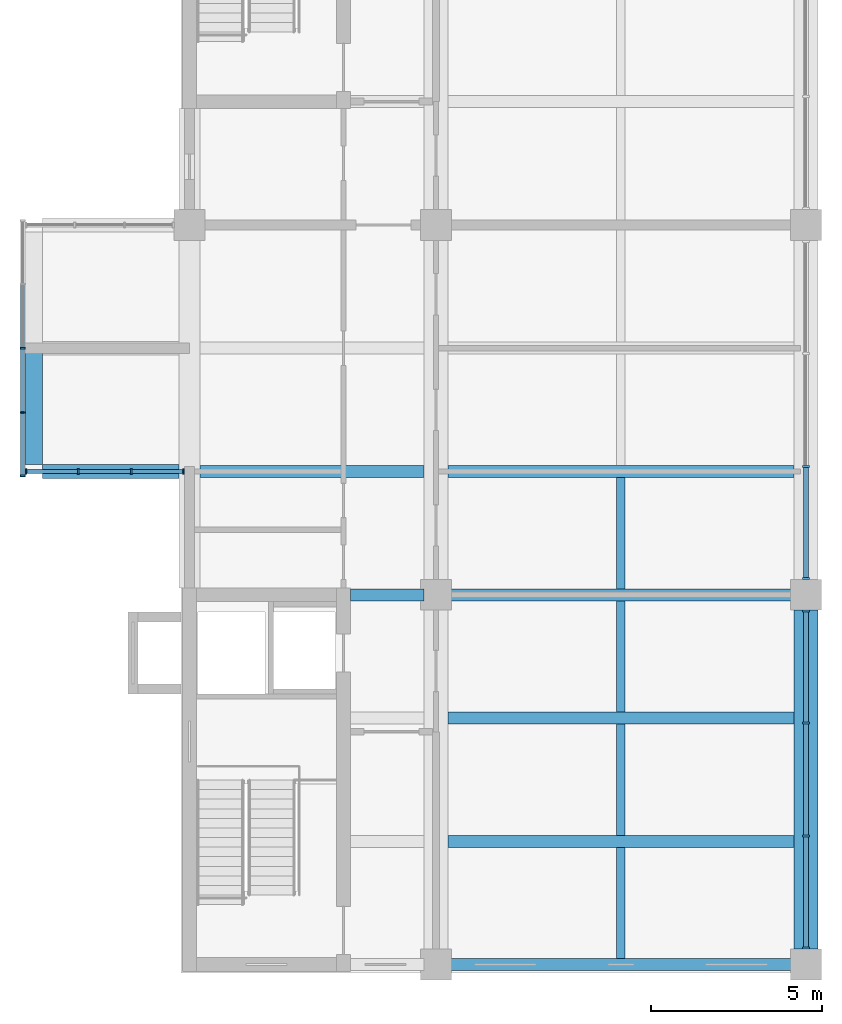
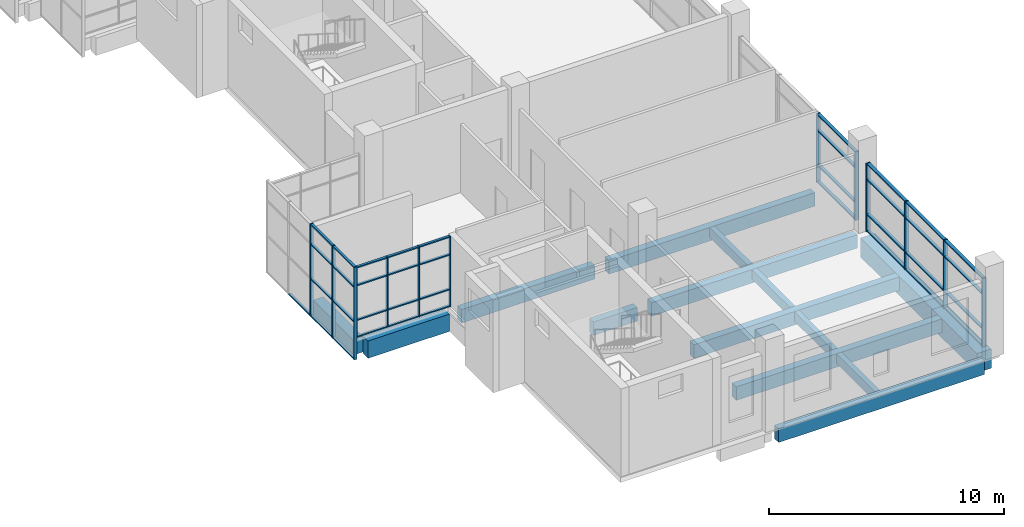
# One storey, part 2 of 15: 50 members, 14 beams, 4 elements without a shape of their own.
"""IFC4 building model written with IfcOpenShell, lengths in metres."""

from ifc_helpers import new_model, si_unit, direction, frame, origin, origin_2d, place, context, subcontext, project, spatial, rectangle, extrude, material, layer, layer_set, material_profile, profile_set, type_object, element, aggregate, save


model = new_model("IFC4")

# Units and contexts
model_context = context("Model", 3, precision=1e-05, world=origin(), true_north=direction((0.0, 1.0)))
body_context = subcontext(model_context, "Body", "Model", "MODEL_VIEW")
ifc_project = project(units=[si_unit("LENGTHUNIT", "METRE"), si_unit("AREAUNIT", "SQUARE_METRE"), si_unit("VOLUMEUNIT", "CUBIC_METRE"), si_unit("PLANEANGLEUNIT", "RADIAN"), si_unit("MASSUNIT", "GRAM", prefix="KILO")], contexts=[model_context])

# Site, building, storey
site_placement = place(None, origin())
site = spatial("IfcSite", under=ifc_project, at=site_placement, CompositionType="ELEMENT")
building_placement = place(site_placement, origin())
building = spatial("IfcBuilding", under=site, at=building_placement, Name="Basin Gate Institute", CompositionType="ELEMENT")
storey_placement = place(building_placement, frame((0.0, 0.0, 55.800048828125)))
storey = spatial("IfcBuildingStorey", under=building, at=storey_placement, Name="L11", CompositionType="ELEMENT", Elevation=55.800048828125)

# Beams
ifc_material_1 = material(Name="Concrete 40 MPa", Category="concrete")
ifc_material_profile_1 = material_profile(ifc_material_1, rectangle(XDim=0.35009765625, YDim=0.699951171875, at=origin_2d()), Name="Beam B1 350 x 700")
ifc_profile_set_1 = profile_set([ifc_material_profile_1], Name="Concrete 40 MPa")
beam_type_1 = type_object("IfcBeamType", Name="Beam B1 R120", PredefinedType="BEAM", material=ifc_profile_set_1)
for number, where, z_axis, x_axis, name in (
    (1, (68.75, 35.10009765625, -0.60009765625), (1.0, 0.0, 0.0), (0.0, 1.0, 0.0), "BEAM/L11/W/EW/01"),
    (2, (68.75, 38.699951171875, -0.60009765625), (1.0, 0.0, 0.0), (0.0, 1.0, 0.0), "BEAM/L11/W/EW/02"),
    (3, (68.75, 42.300048828125, -0.60009765625), (1.0, 0.0, 0.0), (0.0, 1.0, 0.0), "BEAM/L11/W/EW/03"),
    (4, (68.75, 45.89990234375, -0.60009765625), (1.0, 0.0, 0.0), (0.0, 1.0, 0.0), "BEAM/L11/W/EW/04"),
):
    element("IfcBeam", number, at=place(storey_placement, frame(where, z_axis=z_axis, x_axis=x_axis)), inside=storey, type_object=beam_type_1, material=ifc_profile_set_1, Name=name, PredefinedType="BEAM", context=body_context, shape_type="SweptSolid", body=[
        extrude(rectangle(XDim=0.35009765625, YDim=0.699951171875, at=origin_2d()), origin(), (0.0, 0.0, 1.0), 10.10009765625),
    ])
beam_1_placement = place(storey_placement, frame((65.89990234375, 45.89990234375, -0.60009765625), z_axis=(1.0, 0.0, 0.0), x_axis=(0.0, 1.0, 0.0)))
element("IfcBeam", 5, at=beam_1_placement, inside=storey, type_object=beam_type_1, material=ifc_profile_set_1, Name="BEAM/L11/W/CORR/04", PredefinedType="BEAM", context=body_context, shape_type="SweptSolid", body=[
    extrude(rectangle(XDim=0.35009765625, YDim=0.699951171875, at=origin_2d()), origin(), (0.0, 0.0, 1.0), 2.150146484375),
])
beam_2_placement = place(storey_placement, frame((68.75, 49.5, -0.60009765625), z_axis=(1.0, 0.0, 0.0), x_axis=(0.0, 1.0, 0.0)))
element("IfcBeam", 6, at=beam_2_placement, inside=storey, type_object=beam_type_1, material=ifc_profile_set_1, Name="BEAM/L11/W/EW/05", PredefinedType="BEAM", context=body_context, shape_type="SweptSolid", body=[
    extrude(rectangle(XDim=0.35009765625, YDim=0.699951171875, at=origin_2d()), origin(), (0.0, 0.0, 1.0), 10.10009765625),
])
beam_3_placement = place(storey_placement, frame((61.5, 49.5, -0.60009765625), z_axis=(1.0, 0.0, 0.0), x_axis=(0.0, 1.0, 0.0)))
element("IfcBeam", 7, at=beam_3_placement, inside=storey, type_object=beam_type_1, material=ifc_profile_set_1, Name="BEAM/L11/W/OUT/05", PredefinedType="BEAM", context=body_context, shape_type="SweptSolid", body=[
    extrude(rectangle(XDim=0.35009765625, YDim=0.699951171875, at=origin_2d()), origin(), (0.0, 0.0, 1.0), 6.550048828125),
])
ifc_material_2 = material(Name="Concrete 50 MPa", Category="concrete")
ifc_material_profile_2 = material_profile(ifc_material_2, rectangle(XDim=0.39990234375, YDim=0.89990234375, at=origin_2d()), Name="Cantilever beam B3 400 x 900")
ifc_profile_set_2 = profile_set([ifc_material_profile_2], Name="Concrete 50 MPa")
beam_type_2 = type_object("IfcBeamType", Name="Cantilever beam B3 R120", PredefinedType="BEAM", material=ifc_profile_set_2)
beam_4_placement = place(storey_placement, frame((56.89990234375, 49.5, -0.699951171875), z_axis=(1.0, 0.0, 0.0), x_axis=(0.0, 1.0, 0.0)))
element("IfcBeam", 8, at=beam_4_placement, inside=storey, type_object=beam_type_2, material=ifc_profile_set_2, Name="BEAM/L11/W/CANT/05", PredefinedType="BEAM", context=body_context, shape_type="SweptSolid", body=[
    extrude(rectangle(XDim=0.39990234375, YDim=0.89990234375, at=origin_2d()), origin(), (0.0, 0.0, 1.0), 4.0),
])
ifc_material_3 = material(Name="Concrete 50 MPa", Category="concrete")
ifc_material_profile_3 = material_profile(ifc_material_3, rectangle(XDim=0.699951171875, YDim=1.0, at=origin_2d()), Name="Girder G1 700 x 1000")
ifc_profile_set_3 = profile_set([ifc_material_profile_3], Name="Concrete 50 MPa")
beam_type_3 = type_object("IfcBeamType", Name="Girder G1 R120", PredefinedType="BEAM", material=ifc_profile_set_3)
beam_5_placement = place(storey_placement, frame((79.199951171875, 35.550048828125, -0.75), z_axis=(0.0, 1.0, 0.0), x_axis=(-1.0, 0.0, 0.0)))
element("IfcBeam", 9, at=beam_5_placement, inside=storey, type_object=beam_type_3, material=ifc_profile_set_3, Name="GIR/L11/W6/1", PredefinedType="BEAM", context=body_context, shape_type="SweptSolid", body=[
    extrude(rectangle(XDim=0.699951171875, YDim=1.0, at=origin_2d()), origin(), (0.0, 0.0, 1.0), 9.89990234375),
])

# Curtain wall, members
ifc_material_4 = material(Name="Aluminium-framed glazing", Category="aluminium")
ifc_layer_1 = layer(ifc_material_4, 0.14990234375)
ifc_layer_set_1 = layer_set([ifc_layer_1], Name="Capsule front curtain wall CW1")
curtain_wall_type_1 = type_object("IfcCurtainWallType", Name="Capsule front curtain wall CW1", PredefinedType="NOTDEFINED", material=ifc_layer_set_1)
curtain_wall_1_placement = place(storey_placement, origin())
curtain_wall_1 = element("IfcCurtainWall", 10, at=curtain_wall_1_placement, inside=storey, type_object=curtain_wall_type_1, material=ifc_layer_set_1, Name="Capsule front curtain wall W wing capsule end L11 line 5", PredefinedType="NOTDEFINED")
ifc_material_5 = material(Name="Aluminium", Category="aluminium")
ifc_material_profile_4 = material_profile(ifc_material_5, rectangle(XDim=0.14990234375, YDim=0.050048828125, at=origin_2d()), Name="Mullion MU1 150 x 50")
ifc_profile_set_4 = profile_set([ifc_material_profile_4], Name="Aluminium")
member_type_1 = type_object("IfcMemberType", Name="Mullion MU1", PredefinedType="MULLION", material=ifc_profile_set_4)
member_1_placement = place(storey_placement, frame((56.425048828125, 49.5, 0.0), z_axis=(0.0, 0.0, 1.0), x_axis=(0.0, 1.0, 0.0)))
member_1 = element("IfcMember", 11, at=member_1_placement, type_object=member_type_1, material=ifc_profile_set_4, Name="CW1 mullion 1", PredefinedType="MULLION", context=body_context, shape_type="SweptSolid", body=[
    extrude(rectangle(XDim=0.14990234375, YDim=0.050048828125, at=origin_2d()), origin(), (0.0, 0.0, 1.0), 3.64990234375),
])
member_2_placement = place(storey_placement, frame((57.949951171875, 49.5, 0.0), z_axis=(0.0, 0.0, 1.0), x_axis=(0.0, 1.0, 0.0)))
member_2 = element("IfcMember", 12, at=member_2_placement, type_object=member_type_1, material=ifc_profile_set_4, Name="CW1 mullion 2", PredefinedType="MULLION", context=body_context, shape_type="SweptSolid", body=[
    extrude(rectangle(XDim=0.14990234375, YDim=0.050048828125, at=origin_2d()), origin(), (0.0, 0.0, 1.0), 3.64990234375),
])
member_3_placement = place(storey_placement, frame((59.5, 49.5, 0.0), z_axis=(0.0, 0.0, 1.0), x_axis=(0.0, 1.0, 0.0)))
member_3 = element("IfcMember", 13, at=member_3_placement, type_object=member_type_1, material=ifc_profile_set_4, Name="CW1 mullion 3", PredefinedType="MULLION", context=body_context, shape_type="SweptSolid", body=[
    extrude(rectangle(XDim=0.14990234375, YDim=0.050048828125, at=origin_2d()), origin(), (0.0, 0.0, 1.0), 3.64990234375),
])
member_4_placement = place(storey_placement, frame((61.02490234375, 49.5, 0.0), z_axis=(0.0, 0.0, 1.0), x_axis=(0.0, 1.0, 0.0)))
member_4 = element("IfcMember", 14, at=member_4_placement, type_object=member_type_1, material=ifc_profile_set_4, Name="CW1 mullion 4", PredefinedType="MULLION", context=body_context, shape_type="SweptSolid", body=[
    extrude(rectangle(XDim=0.14990234375, YDim=0.050048828125, at=origin_2d()), origin(), (0.0, 0.0, 1.0), 3.64990234375),
])

curtain_wall_2_placement = place(storey_placement, origin())
curtain_wall_2 = element("IfcCurtainWall", 15, at=curtain_wall_2_placement, inside=storey, type_object=curtain_wall_type_1, material=ifc_layer_set_1, Name="Capsule front curtain wall W wing capsule 1 L11 front 2", PredefinedType="NOTDEFINED")
member_5_placement = place(storey_placement, frame((56.324951171875, 49.375, -1.050048828125), z_axis=(0.0, 0.0, 1.0), x_axis=(-1.0, 0.0, 0.0)))
member_5 = element("IfcMember", 16, at=member_5_placement, type_object=member_type_1, material=ifc_profile_set_4, Name="CW1 mullion 1", PredefinedType="MULLION", context=body_context, shape_type="SweptSolid", body=[
    extrude(rectangle(XDim=0.14990234375, YDim=0.050048828125, at=origin_2d()), origin(), (0.0, 0.0, 1.0), 4.800048828125),
])
member_6_placement = place(storey_placement, frame((56.324951171875, 51.22509765625, -1.050048828125), z_axis=(0.0, 0.0, 1.0), x_axis=(-1.0, 0.0, 0.0)))
member_6 = element("IfcMember", 17, at=member_6_placement, type_object=member_type_1, material=ifc_profile_set_4, Name="CW1 mullion 2", PredefinedType="MULLION", context=body_context, shape_type="SweptSolid", body=[
    extrude(rectangle(XDim=0.14990234375, YDim=0.050048828125, at=origin_2d()), origin(), (0.0, 0.0, 1.0), 4.800048828125),
])
member_7_placement = place(storey_placement, frame((56.324951171875, 53.10009765625, -1.050048828125), z_axis=(0.0, 0.0, 1.0), x_axis=(-1.0, 0.0, 0.0)))
member_7 = element("IfcMember", 18, at=member_7_placement, type_object=member_type_1, material=ifc_profile_set_4, Name="CW1 mullion 3", PredefinedType="MULLION", context=body_context, shape_type="SweptSolid", body=[
    extrude(rectangle(XDim=0.14990234375, YDim=0.050048828125, at=origin_2d()), origin(), (0.0, 0.0, 1.0), 4.800048828125),
])

ifc_material_6 = material(Name="Aluminium-framed glazing", Category="aluminium")
ifc_layer_2 = layer(ifc_material_6, 0.199951171875)
ifc_layer_set_2 = layer_set([ifc_layer_2], Name="Atrium curtain wall CW2")
curtain_wall_type_2 = type_object("IfcCurtainWallType", Name="Atrium curtain wall CW2", PredefinedType="NOTDEFINED", material=ifc_layer_set_2)
curtain_wall_3_placement = place(storey_placement, origin())
curtain_wall_3 = element("IfcCurtainWall", 19, at=curtain_wall_3_placement, inside=storey, type_object=curtain_wall_type_2, material=ifc_layer_set_2, Name="Atrium curtain wall W wing atrium bay 1 L11", PredefinedType="NOTDEFINED")
ifc_material_7 = material(Name="Aluminium", Category="aluminium")
ifc_material_profile_5 = material_profile(ifc_material_7, rectangle(XDim=0.199951171875, YDim=0.06005859375, at=origin_2d()), Name="Mullion MU2 200 x 60")
ifc_profile_set_5 = profile_set([ifc_material_profile_5], Name="Aluminium")
member_type_2 = type_object("IfcMemberType", Name="Mullion MU2", PredefinedType="MULLION", material=ifc_profile_set_5)
member_8_placement = place(storey_placement, frame((79.199951171875, 35.580078125, 0.0), z_axis=(0.0, 0.0, 1.0), x_axis=(-1.0, 0.0, 0.0)))
member_8 = element("IfcMember", 20, at=member_8_placement, type_object=member_type_2, material=ifc_profile_set_5, Name="CW2 mullion 1", PredefinedType="MULLION", context=body_context, shape_type="SweptSolid", body=[
    extrude(rectangle(XDim=0.199951171875, YDim=0.06005859375, at=origin_2d()), origin(), (0.0, 0.0, 1.0), 3.550048828125),
])
member_9_placement = place(storey_placement, frame((79.199951171875, 38.85009765625, 0.0), z_axis=(0.0, 0.0, 1.0), x_axis=(-1.0, 0.0, 0.0)))
member_9 = element("IfcMember", 21, at=member_9_placement, type_object=member_type_2, material=ifc_profile_set_5, Name="CW2 mullion 2", PredefinedType="MULLION", context=body_context, shape_type="SweptSolid", body=[
    extrude(rectangle(XDim=0.199951171875, YDim=0.06005859375, at=origin_2d()), origin(), (0.0, 0.0, 1.0), 3.550048828125),
])
member_10_placement = place(storey_placement, frame((79.199951171875, 42.14990234375, 0.0), z_axis=(0.0, 0.0, 1.0), x_axis=(-1.0, 0.0, 0.0)))
member_10 = element("IfcMember", 22, at=member_10_placement, type_object=member_type_2, material=ifc_profile_set_5, Name="CW2 mullion 3", PredefinedType="MULLION", context=body_context, shape_type="SweptSolid", body=[
    extrude(rectangle(XDim=0.199951171875, YDim=0.06005859375, at=origin_2d()), origin(), (0.0, 0.0, 1.0), 3.550048828125),
])
member_11_placement = place(storey_placement, frame((79.199951171875, 45.419921875, 0.0), z_axis=(0.0, 0.0, 1.0), x_axis=(-1.0, 0.0, 0.0)))
member_11 = element("IfcMember", 23, at=member_11_placement, type_object=member_type_2, material=ifc_profile_set_5, Name="CW2 mullion 4", PredefinedType="MULLION", context=body_context, shape_type="SweptSolid", body=[
    extrude(rectangle(XDim=0.199951171875, YDim=0.06005859375, at=origin_2d()), origin(), (0.0, 0.0, 1.0), 3.550048828125),
])

curtain_wall_4_placement = place(storey_placement, origin())
curtain_wall_4 = element("IfcCurtainWall", 24, at=curtain_wall_4_placement, inside=storey, type_object=curtain_wall_type_2, material=ifc_layer_set_2, Name="Atrium curtain wall W wing atrium bay 2 L11", PredefinedType="NOTDEFINED")
member_12_placement = place(storey_placement, frame((79.199951171875, 46.3798828125, 0.0), z_axis=(0.0, 0.0, 1.0), x_axis=(-1.0, 0.0, 0.0)))
member_12 = element("IfcMember", 25, at=member_12_placement, type_object=member_type_2, material=ifc_profile_set_5, Name="CW2 mullion 1", PredefinedType="MULLION", context=body_context, shape_type="SweptSolid", body=[
    extrude(rectangle(XDim=0.199951171875, YDim=0.06005859375, at=origin_2d()), origin(), (0.0, 0.0, 1.0), 3.550048828125),
])
member_13_placement = place(storey_placement, frame((79.199951171875, 49.64990234375, 0.0), z_axis=(0.0, 0.0, 1.0), x_axis=(-1.0, 0.0, 0.0)))
member_13 = element("IfcMember", 26, at=member_13_placement, type_object=member_type_2, material=ifc_profile_set_5, Name="CW2 mullion 2", PredefinedType="MULLION", context=body_context, shape_type="SweptSolid", body=[
    extrude(rectangle(XDim=0.199951171875, YDim=0.06005859375, at=origin_2d()), origin(), (0.0, 0.0, 1.0), 3.550048828125),
])

# Beams
ifc_material_8 = material(Name="Concrete 40 MPa", Category="concrete")
ifc_material_profile_6 = material_profile(ifc_material_8, rectangle(XDim=0.25, YDim=0.5, at=origin_2d()), Name="Rib R1 250 x 500")
ifc_profile_set_6 = profile_set([ifc_material_profile_6], Name="Concrete 40 MPa")
beam_type_4 = type_object("IfcBeamType", Name="Rib R1 R120", PredefinedType="JOIST", material=ifc_profile_set_6)
for number, where, z_axis, x_axis, name in (
    (27, (73.800048828125, 35.27490234375, -0.5), (0.0, 1.0, 0.0), (-1.0, 0.0, 0.0), "BEAM/L11/W/RIB/01"),
    (28, (73.800048828125, 38.875, -0.5), (0.0, 1.0, 0.0), (-1.0, 0.0, 0.0), "BEAM/L11/W/RIB/02"),
    (29, (73.800048828125, 42.47509765625, -0.5), (0.0, 1.0, 0.0), (-1.0, 0.0, 0.0), "BEAM/L11/W/RIB/03"),
    (30, (73.800048828125, 46.074951171875, -0.5), (0.0, 1.0, 0.0), (-1.0, 0.0, 0.0), "BEAM/L11/W/RIB/04"),
):
    element("IfcBeam", number, at=place(storey_placement, frame(where, z_axis=z_axis, x_axis=x_axis)), inside=storey, type_object=beam_type_4, material=ifc_profile_set_6, Name=name, PredefinedType="JOIST", context=body_context, shape_type="SweptSolid", body=[
        extrude(rectangle(XDim=0.25, YDim=0.5, at=origin_2d()), origin(), (0.0, 0.0, 1.0), 3.25),
    ])
ifc_material_9 = material(Name="Concrete 50 MPa", Category="concrete")
ifc_material_profile_7 = material_profile(ifc_material_9, rectangle(XDim=0.5, YDim=0.800048828125, at=origin_2d()), Name="Tip beam TB1 500 x 800")
ifc_profile_set_7 = profile_set([ifc_material_profile_7], Name="Concrete 50 MPa")
beam_type_5 = type_object("IfcBeamType", Name="Tip beam TB1 R120", PredefinedType="SPANDREL", material=ifc_profile_set_7)
beam_6_placement = place(storey_placement, frame((56.64990234375, 49.699951171875, -0.650146484375), z_axis=(0.0, 1.0, 0.0), x_axis=(-1.0, 0.0, 0.0)))
element("IfcBeam", 31, at=beam_6_placement, inside=storey, type_object=beam_type_5, material=ifc_profile_set_7, Name="BEAM/L11/W/TIP/2", PredefinedType="SPANDREL", context=body_context, shape_type="SweptSolid", body=[
    extrude(rectangle(XDim=0.5, YDim=0.800048828125, at=origin_2d()), origin(), (0.0, 0.0, 1.0), 3.400146484375),
])

# Member
ifc_material_10 = material(Name="Aluminium", Category="aluminium")
ifc_material_profile_8 = material_profile(ifc_material_10, rectangle(XDim=0.1201171875, YDim=0.06005859375, at=origin_2d()), Name="Transom TR1 120 x 60")
ifc_profile_set_8 = profile_set([ifc_material_profile_8], Name="Aluminium")
member_type_3 = type_object("IfcMemberType", Name="Transom TR1", PredefinedType="USERDEFINED", material=ifc_profile_set_8)
member_14_placement = place(storey_placement, frame((56.449951171875, 49.5, 0.030029296875), z_axis=(1.0, 0.0, 0.0), x_axis=(0.0, 1.0, 0.0)))
member_14 = element("IfcMember", 32, at=member_14_placement, type_object=member_type_3, material=ifc_profile_set_8, Name="CW1 transom 1.1", ObjectType="TRANSOM", PredefinedType="USERDEFINED", context=body_context, shape_type="SweptSolid", body=[
    extrude(rectangle(XDim=0.1201171875, YDim=0.06005859375, at=origin_2d()), origin(), (0.0, 0.0, 1.0), 1.47509765625),
])

member_15_placement = place(storey_placement, frame((56.449951171875, 49.5, 0.89990234375), z_axis=(1.0, 0.0, 0.0), x_axis=(0.0, 1.0, 0.0)))
member_15 = element("IfcMember", 33, at=member_15_placement, type_object=member_type_3, material=ifc_profile_set_8, Name="CW1 transom 1.2", ObjectType="TRANSOM", PredefinedType="USERDEFINED", context=body_context, shape_type="SweptSolid", body=[
    extrude(rectangle(XDim=0.1201171875, YDim=0.06005859375, at=origin_2d()), origin(), (0.0, 0.0, 1.0), 1.47509765625),
])

member_16_placement = place(storey_placement, frame((56.449951171875, 49.5, 2.699951171875), z_axis=(1.0, 0.0, 0.0), x_axis=(0.0, 1.0, 0.0)))
member_16 = element("IfcMember", 34, at=member_16_placement, type_object=member_type_3, material=ifc_profile_set_8, Name="CW1 transom 1.3", ObjectType="TRANSOM", PredefinedType="USERDEFINED", context=body_context, shape_type="SweptSolid", body=[
    extrude(rectangle(XDim=0.1201171875, YDim=0.06005859375, at=origin_2d()), origin(), (0.0, 0.0, 1.0), 1.47509765625),
])

member_17_placement = place(storey_placement, frame((56.449951171875, 49.5, 3.619873046875), z_axis=(1.0, 0.0, 0.0), x_axis=(0.0, 1.0, 0.0)))
member_17 = element("IfcMember", 35, at=member_17_placement, type_object=member_type_3, material=ifc_profile_set_8, Name="CW1 transom 1.4", ObjectType="TRANSOM", PredefinedType="USERDEFINED", context=body_context, shape_type="SweptSolid", body=[
    extrude(rectangle(XDim=0.1201171875, YDim=0.06005859375, at=origin_2d()), origin(), (0.0, 0.0, 1.0), 1.47509765625),
])

member_18_placement = place(storey_placement, frame((57.97509765625, 49.5, 0.030029296875), z_axis=(1.0, 0.0, 0.0), x_axis=(0.0, 1.0, 0.0)))
member_18 = element("IfcMember", 36, at=member_18_placement, type_object=member_type_3, material=ifc_profile_set_8, Name="CW1 transom 2.1", ObjectType="TRANSOM", PredefinedType="USERDEFINED", context=body_context, shape_type="SweptSolid", body=[
    extrude(rectangle(XDim=0.1201171875, YDim=0.06005859375, at=origin_2d()), origin(), (0.0, 0.0, 1.0), 1.5),
])

member_19_placement = place(storey_placement, frame((57.97509765625, 49.5, 0.89990234375), z_axis=(1.0, 0.0, 0.0), x_axis=(0.0, 1.0, 0.0)))
member_19 = element("IfcMember", 37, at=member_19_placement, type_object=member_type_3, material=ifc_profile_set_8, Name="CW1 transom 2.2", ObjectType="TRANSOM", PredefinedType="USERDEFINED", context=body_context, shape_type="SweptSolid", body=[
    extrude(rectangle(XDim=0.1201171875, YDim=0.06005859375, at=origin_2d()), origin(), (0.0, 0.0, 1.0), 1.5),
])

member_20_placement = place(storey_placement, frame((57.97509765625, 49.5, 2.699951171875), z_axis=(1.0, 0.0, 0.0), x_axis=(0.0, 1.0, 0.0)))
member_20 = element("IfcMember", 38, at=member_20_placement, type_object=member_type_3, material=ifc_profile_set_8, Name="CW1 transom 2.3", ObjectType="TRANSOM", PredefinedType="USERDEFINED", context=body_context, shape_type="SweptSolid", body=[
    extrude(rectangle(XDim=0.1201171875, YDim=0.06005859375, at=origin_2d()), origin(), (0.0, 0.0, 1.0), 1.5),
])

member_21_placement = place(storey_placement, frame((57.97509765625, 49.5, 3.619873046875), z_axis=(1.0, 0.0, 0.0), x_axis=(0.0, 1.0, 0.0)))
member_21 = element("IfcMember", 39, at=member_21_placement, type_object=member_type_3, material=ifc_profile_set_8, Name="CW1 transom 2.4", ObjectType="TRANSOM", PredefinedType="USERDEFINED", context=body_context, shape_type="SweptSolid", body=[
    extrude(rectangle(XDim=0.1201171875, YDim=0.06005859375, at=origin_2d()), origin(), (0.0, 0.0, 1.0), 1.5),
])

member_22_placement = place(storey_placement, frame((59.52490234375, 49.5, 0.030029296875), z_axis=(1.0, 0.0, 0.0), x_axis=(0.0, 1.0, 0.0)))
member_22 = element("IfcMember", 40, at=member_22_placement, type_object=member_type_3, material=ifc_profile_set_8, Name="CW1 transom 3.1", ObjectType="TRANSOM", PredefinedType="USERDEFINED", context=body_context, shape_type="SweptSolid", body=[
    extrude(rectangle(XDim=0.1201171875, YDim=0.06005859375, at=origin_2d()), origin(), (0.0, 0.0, 1.0), 1.47509765625),
])

member_23_placement = place(storey_placement, frame((59.52490234375, 49.5, 0.89990234375), z_axis=(1.0, 0.0, 0.0), x_axis=(0.0, 1.0, 0.0)))
member_23 = element("IfcMember", 41, at=member_23_placement, type_object=member_type_3, material=ifc_profile_set_8, Name="CW1 transom 3.2", ObjectType="TRANSOM", PredefinedType="USERDEFINED", context=body_context, shape_type="SweptSolid", body=[
    extrude(rectangle(XDim=0.1201171875, YDim=0.06005859375, at=origin_2d()), origin(), (0.0, 0.0, 1.0), 1.47509765625),
])

member_24_placement = place(storey_placement, frame((59.52490234375, 49.5, 2.699951171875), z_axis=(1.0, 0.0, 0.0), x_axis=(0.0, 1.0, 0.0)))
member_24 = element("IfcMember", 42, at=member_24_placement, type_object=member_type_3, material=ifc_profile_set_8, Name="CW1 transom 3.3", ObjectType="TRANSOM", PredefinedType="USERDEFINED", context=body_context, shape_type="SweptSolid", body=[
    extrude(rectangle(XDim=0.1201171875, YDim=0.06005859375, at=origin_2d()), origin(), (0.0, 0.0, 1.0), 1.47509765625),
])

member_25_placement = place(storey_placement, frame((59.52490234375, 49.5, 3.619873046875), z_axis=(1.0, 0.0, 0.0), x_axis=(0.0, 1.0, 0.0)))
member_25 = element("IfcMember", 43, at=member_25_placement, type_object=member_type_3, material=ifc_profile_set_8, Name="CW1 transom 3.4", ObjectType="TRANSOM", PredefinedType="USERDEFINED", context=body_context, shape_type="SweptSolid", body=[
    extrude(rectangle(XDim=0.1201171875, YDim=0.06005859375, at=origin_2d()), origin(), (0.0, 0.0, 1.0), 1.47509765625),
])

aggregate(curtain_wall_1, [member_1, member_2, member_3, member_4, member_14, member_15, member_16, member_17, member_18, member_19, member_20, member_21, member_22, member_23, member_24, member_25])

member_26_placement = place(storey_placement, frame((56.324951171875, 49.39990234375, -1.02001953125), z_axis=(0.0, 1.0, 0.0), x_axis=(-1.0, 0.0, 0.0)))
member_26 = element("IfcMember", 44, at=member_26_placement, type_object=member_type_3, material=ifc_profile_set_8, Name="CW1 transom 1.1", ObjectType="TRANSOM", PredefinedType="USERDEFINED", context=body_context, shape_type="SweptSolid", body=[
    extrude(rectangle(XDim=0.1201171875, YDim=0.06005859375, at=origin_2d()), origin(), (0.0, 0.0, 1.0), 1.800048828125),
])

member_27_placement = place(storey_placement, frame((56.324951171875, 49.39990234375, 0.89990234375), z_axis=(0.0, 1.0, 0.0), x_axis=(-1.0, 0.0, 0.0)))
member_27 = element("IfcMember", 45, at=member_27_placement, type_object=member_type_3, material=ifc_profile_set_8, Name="CW1 transom 1.2", ObjectType="TRANSOM", PredefinedType="USERDEFINED", context=body_context, shape_type="SweptSolid", body=[
    extrude(rectangle(XDim=0.1201171875, YDim=0.06005859375, at=origin_2d()), origin(), (0.0, 0.0, 1.0), 1.800048828125),
])

member_28_placement = place(storey_placement, frame((56.324951171875, 49.39990234375, 2.699951171875), z_axis=(0.0, 1.0, 0.0), x_axis=(-1.0, 0.0, 0.0)))
member_28 = element("IfcMember", 46, at=member_28_placement, type_object=member_type_3, material=ifc_profile_set_8, Name="CW1 transom 1.3", ObjectType="TRANSOM", PredefinedType="USERDEFINED", context=body_context, shape_type="SweptSolid", body=[
    extrude(rectangle(XDim=0.1201171875, YDim=0.06005859375, at=origin_2d()), origin(), (0.0, 0.0, 1.0), 1.800048828125),
])

member_29_placement = place(storey_placement, frame((56.324951171875, 49.39990234375, 3.719970703125), z_axis=(0.0, 1.0, 0.0), x_axis=(-1.0, 0.0, 0.0)))
member_29 = element("IfcMember", 47, at=member_29_placement, type_object=member_type_3, material=ifc_profile_set_8, Name="CW1 transom 1.4", ObjectType="TRANSOM", PredefinedType="USERDEFINED", context=body_context, shape_type="SweptSolid", body=[
    extrude(rectangle(XDim=0.1201171875, YDim=0.06005859375, at=origin_2d()), origin(), (0.0, 0.0, 1.0), 1.800048828125),
])

member_30_placement = place(storey_placement, frame((56.324951171875, 51.25, -1.02001953125), z_axis=(0.0, 1.0, 0.0), x_axis=(-1.0, 0.0, 0.0)))
member_30 = element("IfcMember", 48, at=member_30_placement, type_object=member_type_3, material=ifc_profile_set_8, Name="CW1 transom 2.1", ObjectType="TRANSOM", PredefinedType="USERDEFINED", context=body_context, shape_type="SweptSolid", body=[
    extrude(rectangle(XDim=0.1201171875, YDim=0.06005859375, at=origin_2d()), origin(), (0.0, 0.0, 1.0), 1.824951171875),
])

member_31_placement = place(storey_placement, frame((56.324951171875, 51.25, 0.89990234375), z_axis=(0.0, 1.0, 0.0), x_axis=(-1.0, 0.0, 0.0)))
member_31 = element("IfcMember", 49, at=member_31_placement, type_object=member_type_3, material=ifc_profile_set_8, Name="CW1 transom 2.2", ObjectType="TRANSOM", PredefinedType="USERDEFINED", context=body_context, shape_type="SweptSolid", body=[
    extrude(rectangle(XDim=0.1201171875, YDim=0.06005859375, at=origin_2d()), origin(), (0.0, 0.0, 1.0), 1.824951171875),
])

member_32_placement = place(storey_placement, frame((56.324951171875, 51.25, 2.699951171875), z_axis=(0.0, 1.0, 0.0), x_axis=(-1.0, 0.0, 0.0)))
member_32 = element("IfcMember", 50, at=member_32_placement, type_object=member_type_3, material=ifc_profile_set_8, Name="CW1 transom 2.3", ObjectType="TRANSOM", PredefinedType="USERDEFINED", context=body_context, shape_type="SweptSolid", body=[
    extrude(rectangle(XDim=0.1201171875, YDim=0.06005859375, at=origin_2d()), origin(), (0.0, 0.0, 1.0), 1.824951171875),
])

member_33_placement = place(storey_placement, frame((56.324951171875, 51.25, 3.719970703125), z_axis=(0.0, 1.0, 0.0), x_axis=(-1.0, 0.0, 0.0)))
member_33 = element("IfcMember", 51, at=member_33_placement, type_object=member_type_3, material=ifc_profile_set_8, Name="CW1 transom 2.4", ObjectType="TRANSOM", PredefinedType="USERDEFINED", context=body_context, shape_type="SweptSolid", body=[
    extrude(rectangle(XDim=0.1201171875, YDim=0.06005859375, at=origin_2d()), origin(), (0.0, 0.0, 1.0), 1.824951171875),
])

member_34_placement = place(storey_placement, frame((56.324951171875, 53.125, -1.02001953125), z_axis=(0.0, 1.0, 0.0), x_axis=(-1.0, 0.0, 0.0)))
member_34 = element("IfcMember", 52, at=member_34_placement, type_object=member_type_3, material=ifc_profile_set_8, Name="CW1 transom 3.1", ObjectType="TRANSOM", PredefinedType="USERDEFINED", context=body_context, shape_type="SweptSolid", body=[
    extrude(rectangle(XDim=0.1201171875, YDim=0.06005859375, at=origin_2d()), origin(), (0.0, 0.0, 1.0), 1.824951171875),
])

aggregate(curtain_wall_2, [member_5, member_6, member_7, member_26, member_27, member_28, member_29, member_30, member_31, member_32, member_33, member_34])

ifc_material_11 = material(Name="Aluminium", Category="aluminium")
ifc_material_profile_9 = material_profile(ifc_material_11, rectangle(XDim=0.14990234375, YDim=0.06005859375, at=origin_2d()), Name="Transom TR2 150 x 60")
ifc_profile_set_9 = profile_set([ifc_material_profile_9], Name="Aluminium")
member_type_4 = type_object("IfcMemberType", Name="Transom TR2", PredefinedType="USERDEFINED", material=ifc_profile_set_9)
member_35_placement = place(storey_placement, frame((79.199951171875, 35.610107421875, 0.030029296875), z_axis=(0.0, 1.0, 0.0), x_axis=(-1.0, 0.0, 0.0)))
member_35 = element("IfcMember", 53, at=member_35_placement, type_object=member_type_4, material=ifc_profile_set_9, Name="CW2 transom 1.1", ObjectType="TRANSOM", PredefinedType="USERDEFINED", context=body_context, shape_type="SweptSolid", body=[
    extrude(rectangle(XDim=0.14990234375, YDim=0.06005859375, at=origin_2d()), origin(), (0.0, 0.0, 1.0), 3.2099609375),
])

member_36_placement = place(storey_placement, frame((79.199951171875, 35.610107421875, 0.89990234375), z_axis=(0.0, 1.0, 0.0), x_axis=(-1.0, 0.0, 0.0)))
member_36 = element("IfcMember", 54, at=member_36_placement, type_object=member_type_4, material=ifc_profile_set_9, Name="CW2 transom 1.2", ObjectType="TRANSOM", PredefinedType="USERDEFINED", context=body_context, shape_type="SweptSolid", body=[
    extrude(rectangle(XDim=0.14990234375, YDim=0.06005859375, at=origin_2d()), origin(), (0.0, 0.0, 1.0), 3.2099609375),
])

member_37_placement = place(storey_placement, frame((79.199951171875, 35.610107421875, 2.699951171875), z_axis=(0.0, 1.0, 0.0), x_axis=(-1.0, 0.0, 0.0)))
member_37 = element("IfcMember", 55, at=member_37_placement, type_object=member_type_4, material=ifc_profile_set_9, Name="CW2 transom 1.3", ObjectType="TRANSOM", PredefinedType="USERDEFINED", context=body_context, shape_type="SweptSolid", body=[
    extrude(rectangle(XDim=0.14990234375, YDim=0.06005859375, at=origin_2d()), origin(), (0.0, 0.0, 1.0), 3.2099609375),
])

member_38_placement = place(storey_placement, frame((79.199951171875, 35.610107421875, 3.52001953125), z_axis=(0.0, 1.0, 0.0), x_axis=(-1.0, 0.0, 0.0)))
member_38 = element("IfcMember", 56, at=member_38_placement, type_object=member_type_4, material=ifc_profile_set_9, Name="CW2 transom 1.4", ObjectType="TRANSOM", PredefinedType="USERDEFINED", context=body_context, shape_type="SweptSolid", body=[
    extrude(rectangle(XDim=0.14990234375, YDim=0.06005859375, at=origin_2d()), origin(), (0.0, 0.0, 1.0), 3.2099609375),
])

member_39_placement = place(storey_placement, frame((79.199951171875, 38.8798828125, 0.030029296875), z_axis=(0.0, 1.0, 0.0), x_axis=(-1.0, 0.0, 0.0)))
member_39 = element("IfcMember", 57, at=member_39_placement, type_object=member_type_4, material=ifc_profile_set_9, Name="CW2 transom 2.1", ObjectType="TRANSOM", PredefinedType="USERDEFINED", context=body_context, shape_type="SweptSolid", body=[
    extrude(rectangle(XDim=0.14990234375, YDim=0.06005859375, at=origin_2d()), origin(), (0.0, 0.0, 1.0), 3.240234375),
])

member_40_placement = place(storey_placement, frame((79.199951171875, 38.8798828125, 0.89990234375), z_axis=(0.0, 1.0, 0.0), x_axis=(-1.0, 0.0, 0.0)))
member_40 = element("IfcMember", 58, at=member_40_placement, type_object=member_type_4, material=ifc_profile_set_9, Name="CW2 transom 2.2", ObjectType="TRANSOM", PredefinedType="USERDEFINED", context=body_context, shape_type="SweptSolid", body=[
    extrude(rectangle(XDim=0.14990234375, YDim=0.06005859375, at=origin_2d()), origin(), (0.0, 0.0, 1.0), 3.240234375),
])

member_41_placement = place(storey_placement, frame((79.199951171875, 38.8798828125, 2.699951171875), z_axis=(0.0, 1.0, 0.0), x_axis=(-1.0, 0.0, 0.0)))
member_41 = element("IfcMember", 59, at=member_41_placement, type_object=member_type_4, material=ifc_profile_set_9, Name="CW2 transom 2.3", ObjectType="TRANSOM", PredefinedType="USERDEFINED", context=body_context, shape_type="SweptSolid", body=[
    extrude(rectangle(XDim=0.14990234375, YDim=0.06005859375, at=origin_2d()), origin(), (0.0, 0.0, 1.0), 3.240234375),
])

member_42_placement = place(storey_placement, frame((79.199951171875, 38.8798828125, 3.52001953125), z_axis=(0.0, 1.0, 0.0), x_axis=(-1.0, 0.0, 0.0)))
member_42 = element("IfcMember", 60, at=member_42_placement, type_object=member_type_4, material=ifc_profile_set_9, Name="CW2 transom 2.4", ObjectType="TRANSOM", PredefinedType="USERDEFINED", context=body_context, shape_type="SweptSolid", body=[
    extrude(rectangle(XDim=0.14990234375, YDim=0.06005859375, at=origin_2d()), origin(), (0.0, 0.0, 1.0), 3.240234375),
])

member_43_placement = place(storey_placement, frame((79.199951171875, 42.179931640625, 0.030029296875), z_axis=(0.0, 1.0, 0.0), x_axis=(-1.0, 0.0, 0.0)))
member_43 = element("IfcMember", 61, at=member_43_placement, type_object=member_type_4, material=ifc_profile_set_9, Name="CW2 transom 3.1", ObjectType="TRANSOM", PredefinedType="USERDEFINED", context=body_context, shape_type="SweptSolid", body=[
    extrude(rectangle(XDim=0.14990234375, YDim=0.06005859375, at=origin_2d()), origin(), (0.0, 0.0, 1.0), 3.2099609375),
])

member_44_placement = place(storey_placement, frame((79.199951171875, 42.179931640625, 0.89990234375), z_axis=(0.0, 1.0, 0.0), x_axis=(-1.0, 0.0, 0.0)))
member_44 = element("IfcMember", 62, at=member_44_placement, type_object=member_type_4, material=ifc_profile_set_9, Name="CW2 transom 3.2", ObjectType="TRANSOM", PredefinedType="USERDEFINED", context=body_context, shape_type="SweptSolid", body=[
    extrude(rectangle(XDim=0.14990234375, YDim=0.06005859375, at=origin_2d()), origin(), (0.0, 0.0, 1.0), 3.2099609375),
])

member_45_placement = place(storey_placement, frame((79.199951171875, 42.179931640625, 2.699951171875), z_axis=(0.0, 1.0, 0.0), x_axis=(-1.0, 0.0, 0.0)))
member_45 = element("IfcMember", 63, at=member_45_placement, type_object=member_type_4, material=ifc_profile_set_9, Name="CW2 transom 3.3", ObjectType="TRANSOM", PredefinedType="USERDEFINED", context=body_context, shape_type="SweptSolid", body=[
    extrude(rectangle(XDim=0.14990234375, YDim=0.06005859375, at=origin_2d()), origin(), (0.0, 0.0, 1.0), 3.2099609375),
])

member_46_placement = place(storey_placement, frame((79.199951171875, 42.179931640625, 3.52001953125), z_axis=(0.0, 1.0, 0.0), x_axis=(-1.0, 0.0, 0.0)))
member_46 = element("IfcMember", 64, at=member_46_placement, type_object=member_type_4, material=ifc_profile_set_9, Name="CW2 transom 3.4", ObjectType="TRANSOM", PredefinedType="USERDEFINED", context=body_context, shape_type="SweptSolid", body=[
    extrude(rectangle(XDim=0.14990234375, YDim=0.06005859375, at=origin_2d()), origin(), (0.0, 0.0, 1.0), 3.2099609375),
])

aggregate(curtain_wall_3, [member_8, member_9, member_10, member_11, member_35, member_36, member_37, member_38, member_39, member_40, member_41, member_42, member_43, member_44, member_45, member_46])

member_47_placement = place(storey_placement, frame((79.199951171875, 46.409912109375, 0.030029296875), z_axis=(0.0, 1.0, 0.0), x_axis=(-1.0, 0.0, 0.0)))
member_47 = element("IfcMember", 65, at=member_47_placement, type_object=member_type_4, material=ifc_profile_set_9, Name="CW2 transom 1.1", ObjectType="TRANSOM", PredefinedType="USERDEFINED", context=body_context, shape_type="SweptSolid", body=[
    extrude(rectangle(XDim=0.14990234375, YDim=0.06005859375, at=origin_2d()), origin(), (0.0, 0.0, 1.0), 3.210205078125),
])

member_48_placement = place(storey_placement, frame((79.199951171875, 46.409912109375, 0.89990234375), z_axis=(0.0, 1.0, 0.0), x_axis=(-1.0, 0.0, 0.0)))
member_48 = element("IfcMember", 66, at=member_48_placement, type_object=member_type_4, material=ifc_profile_set_9, Name="CW2 transom 1.2", ObjectType="TRANSOM", PredefinedType="USERDEFINED", context=body_context, shape_type="SweptSolid", body=[
    extrude(rectangle(XDim=0.14990234375, YDim=0.06005859375, at=origin_2d()), origin(), (0.0, 0.0, 1.0), 3.210205078125),
])

member_49_placement = place(storey_placement, frame((79.199951171875, 46.409912109375, 2.699951171875), z_axis=(0.0, 1.0, 0.0), x_axis=(-1.0, 0.0, 0.0)))
member_49 = element("IfcMember", 67, at=member_49_placement, type_object=member_type_4, material=ifc_profile_set_9, Name="CW2 transom 1.3", ObjectType="TRANSOM", PredefinedType="USERDEFINED", context=body_context, shape_type="SweptSolid", body=[
    extrude(rectangle(XDim=0.14990234375, YDim=0.06005859375, at=origin_2d()), origin(), (0.0, 0.0, 1.0), 3.210205078125),
])

member_50_placement = place(storey_placement, frame((79.199951171875, 46.409912109375, 3.52001953125), z_axis=(0.0, 1.0, 0.0), x_axis=(-1.0, 0.0, 0.0)))
member_50 = element("IfcMember", 68, at=member_50_placement, type_object=member_type_4, material=ifc_profile_set_9, Name="CW2 transom 1.4", ObjectType="TRANSOM", PredefinedType="USERDEFINED", context=body_context, shape_type="SweptSolid", body=[
    extrude(rectangle(XDim=0.14990234375, YDim=0.06005859375, at=origin_2d()), origin(), (0.0, 0.0, 1.0), 3.210205078125),
])

aggregate(curtain_wall_4, [member_12, member_13, member_47, member_48, member_49, member_50])

save(model, "model.ifc")
